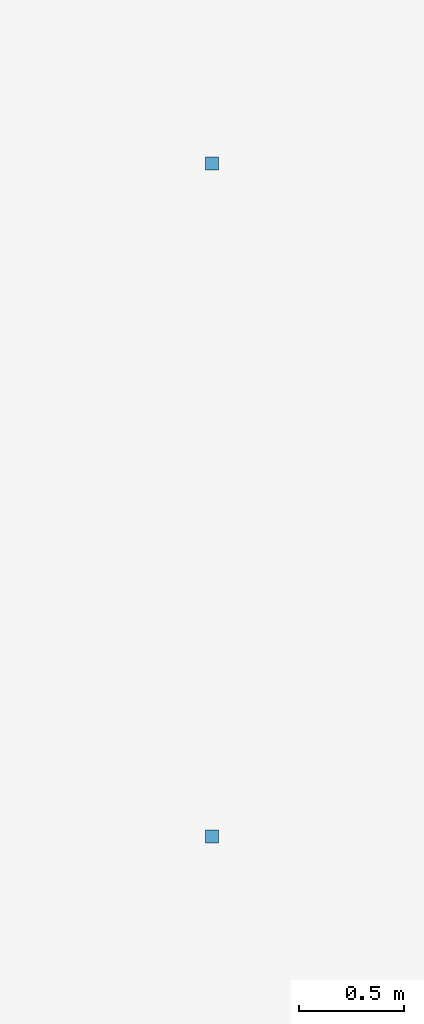
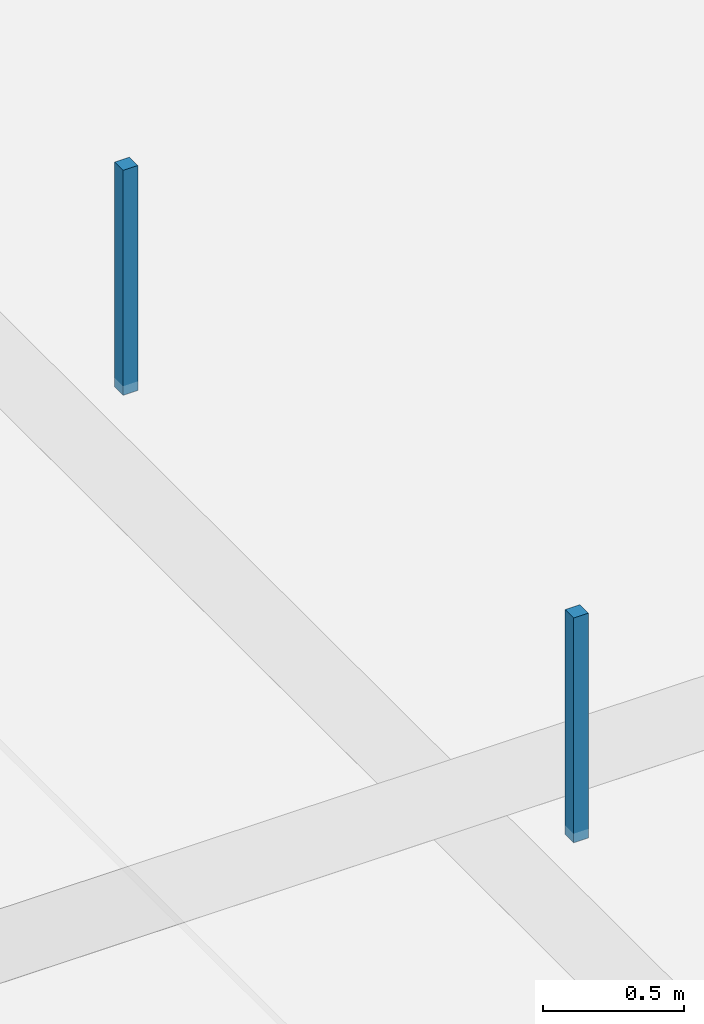
# One storey, part 75 of 128: 2 discrete accessories.
"""IFC4 building model written with IfcOpenShell, lengths in metres."""

import ifcopenshell
import ifcopenshell.guid

model = None  # the IFC model being written
_history = None  # IfcOwnerHistory: only IFC2X3 demands one
_inside = {}  # id of a spatial element -> (the spatial element, [elements in it])
_under = {}  # id of a project, library or spatial element -> (it, [spatial elements below it])
_declared = {}  # id of a project -> (the project, [libraries it declares])
_typed = {}  # id of a type object -> (the type object, [elements of that type])
_made_of = {}  # id of a material, layer set ... -> (it, [elements and type objects made of it])


def new_model(schema):
    """Start an empty IFC model of exactly this schema.

    Asked for "IFC4X3", IfcOpenShell would pick the latest addendum, in which some entities
    have other attributes; the version numbers below select the first issue.
    IFC2X3 requires an IfcOwnerHistory on every rooted entity: one is made here for all.
    """
    global model, _history
    if schema == "IFC4X3":
        model = ifcopenshell.file(schema_version=(4, 3, 0, 0))
    else:
        model = ifcopenshell.file(schema=schema)
    _inside.clear()
    _under.clear()
    _declared.clear()
    _typed.clear()
    _made_of.clear()
    _history = None
    if model.schema == "IFC2X3":
        org = make("IfcOrganization", Name="unknown")
        user = make(
            "IfcPersonAndOrganization",
            ThePerson=make("IfcPerson", FamilyName="unknown"),
            TheOrganization=org,
        )
        app = make(
            "IfcApplication",
            ApplicationDeveloper=org,
            Version="unknown",
            ApplicationFullName="unknown",
            ApplicationIdentifier="unknown",
        )
        _history = make(
            "IfcOwnerHistory",
            OwningUser=user,
            OwningApplication=app,
            ChangeAction="ADDED",
            CreationDate=0,
        )
    return model


def make(cls, **values):
    """One entity of the class cls with the attributes given. An attribute that is None is left unset."""
    return model.create_entity(
        cls, **{name: value for name, value in values.items() if value is not None}
    )


def rooted(cls, **values):
    """An entity with a GlobalId (a new one), such as an element, a storey or a relation."""
    return make(cls, GlobalId=ifcopenshell.guid.new(), OwnerHistory=_history, **values)


def si_unit(unit_type, name, prefix=None):
    """IfcSIUnit, for example si_unit("LENGTHUNIT", "METRE", prefix="MILLI")."""
    return make("IfcSIUnit", UnitType=unit_type, Prefix=prefix, Name=name)


def assignment(units):
    """IfcUnitAssignment: the units of a project."""
    return None if units is None else make("IfcUnitAssignment", Units=units)


def point(xyz):
    """IfcCartesianPoint."""
    return None if xyz is None else make("IfcCartesianPoint", Coordinates=xyz)


def direction(xyz):
    """IfcDirection."""
    return None if xyz is None else make("IfcDirection", DirectionRatios=xyz)


def frame(location, z_axis=None, x_axis=None):
    """IfcAxis2Placement3D, a coordinate frame: its origin and axes. An axis left out is left unset."""
    return make(
        "IfcAxis2Placement3D",
        Location=point(location),
        Axis=direction(z_axis),
        RefDirection=direction(x_axis),
    )


def frame_2d(location, x_axis=None):
    """IfcAxis2Placement2D, a coordinate frame in the plane: its origin and x axis."""
    return make(
        "IfcAxis2Placement2D", Location=point(location), RefDirection=direction(x_axis)
    )


def origin():
    """The frame at (0, 0, 0) with its axes left unset."""
    return frame((0.0, 0.0, 0.0))


def origin_2d():
    """The frame at (0, 0) in the plane with its x axis left unset."""
    return frame_2d((0.0, 0.0))


def place(relative_to, where):
    """IfcLocalPlacement: puts the frame where relative to a parent placement (None: the world)."""
    return make(
        "IfcLocalPlacement", PlacementRelTo=relative_to, RelativePlacement=where
    )


def context(
    kind, dimensions, precision=None, world=None, true_north=None, identifier=None
):
    """IfcGeometricRepresentationContext, for example the 3D "Model" context."""
    return make(
        "IfcGeometricRepresentationContext",
        ContextIdentifier=identifier,
        ContextType=kind,
        CoordinateSpaceDimension=dimensions,
        Precision=precision,
        WorldCoordinateSystem=world,
        TrueNorth=true_north,
    )


def subcontext(parent, identifier, kind, view, scale=None):
    """IfcGeometricRepresentationSubContext, for example "Body" below "Model"."""
    return make(
        "IfcGeometricRepresentationSubContext",
        ContextIdentifier=identifier,
        ContextType=kind,
        ParentContext=parent,
        TargetScale=scale,
        TargetView=view,
    )


def project(units=None, contexts=None):
    """IfcProject with its units and contexts."""
    return rooted(
        "IfcProject",
        Name="project",
        RepresentationContexts=contexts,
        UnitsInContext=assignment(units),
    )


def spatial(cls, under=None, at=None, **own):
    """A site, building, storey or space (cls), placed at a placement, below another one or the project."""
    s = rooted(cls, ObjectPlacement=at, **own)
    if under is not None:
        _under.setdefault(under.id(), (under, []))[1].append(s)
    return s


def profile(cls, at=None, kind="AREA", **sizes):
    """A parametric profile (cls). Its sizes go by their IFC names, for example OverallWidth=200.0."""
    return make(cls, ProfileType=kind, Position=at, **sizes)


def rectangle(**sizes):
    """IfcRectangleProfileDef."""
    return profile("IfcRectangleProfileDef", **sizes)


def extrude(swept, where, along, depth):
    """IfcExtrudedAreaSolid: the profile swept, set in the frame where, extruded along a direction by depth."""
    return make(
        "IfcExtrudedAreaSolid",
        SweptArea=swept,
        Position=where,
        ExtrudedDirection=direction(along),
        Depth=depth,
    )


def shape(context_of_items, identifier, shape_type, items):
    """IfcShapeRepresentation: the items that make up one representation, for example the "Body"."""
    return make(
        "IfcShapeRepresentation",
        ContextOfItems=context_of_items,
        RepresentationIdentifier=identifier,
        RepresentationType=shape_type,
        Items=items,
    )


def material(Name=None, Category=None):
    """IfcMaterial."""
    return make("IfcMaterial", Name=Name, Category=Category)


def made_of(thing, what):
    """Note that an element or type object is made of a material, layer set ...; save() writes the relation."""
    if what is not None:
        _made_of.setdefault(what.id(), (what, []))[1].append(thing)
    return thing


def type_object(cls, material=None, **own):
    """A type object (cls), such as IfcWallType, which elements share."""
    return made_of(rooted(cls, **own), material)


def element(
    cls,
    number,
    at=None,
    inside=None,
    cuts=None,
    type_object=None,
    material=None,
    context=None,
    identifier="Body",
    shape_type=None,
    held_by="IfcProductDefinitionShape",
    body=None,
    shapes=None,
    **own,
):
    """One element of the class cls, such as IfcWall. Its Tag is "e" and its number.

    at: its placement. inside: the storey or other place that contains it. cuts: it is an
    opening in that element (IfcRelVoidsElement). A single representation is given by context,
    identifier, shape_type and body (its items); several are given by shapes. held_by: the class
    of the entity that holds the representations. save() writes the other relations.
    """
    e = rooted(cls, Tag="e%d" % number, ObjectPlacement=at, **own)
    if body is not None:
        shapes = [shape(context, identifier, shape_type, body)]
    if shapes is not None:
        e.Representation = make(held_by, Representations=shapes)
    if inside is not None:
        _inside.setdefault(inside.id(), (inside, []))[1].append(e)
    if cuts is not None:
        rooted(
            "IfcRelVoidsElement", RelatingBuildingElement=cuts, RelatedOpeningElement=e
        )
    if type_object is not None:
        _typed.setdefault(type_object.id(), (type_object, []))[1].append(e)
    return made_of(e, material)


def aggregate(whole, parts):
    """IfcRelAggregates: a whole, such as a stair, and the parts it consists of."""
    return rooted("IfcRelAggregates", RelatingObject=whole, RelatedObjects=parts)


def save(model, path):
    """Write the relations noted so far, then the file.

    IfcRelAggregates (storeys below a building ...), IfcRelContainedInSpatialStructure (elements
    in a storey), IfcRelDefinesByType, IfcRelAssociatesMaterial and IfcRelDeclares: one each for
    every whole, place, type object, material and project.
    """
    for whole, parts in _under.values():
        aggregate(whole, parts)
    for where, things in _inside.values():
        rooted(
            "IfcRelContainedInSpatialStructure",
            RelatedElements=things,
            RelatingStructure=where,
        )
    for kind, things in _typed.values():
        rooted("IfcRelDefinesByType", RelatedObjects=things, RelatingType=kind)
    for what, things in _made_of.values():
        rooted("IfcRelAssociatesMaterial", RelatedObjects=things, RelatingMaterial=what)
    for by, libraries in _declared.values():
        rooted("IfcRelDeclares", RelatingContext=by, RelatedDefinitions=libraries)
    model.write(path)


model = new_model("IFC4")

# Units and contexts
model_context = context("Model", 3, precision=1e-05, world=origin(), true_north=direction((0.0, 1.0)))
body_context = subcontext(model_context, "Body", "Model", "MODEL_VIEW")
ifc_project = project(units=[si_unit("LENGTHUNIT", "METRE"), si_unit("AREAUNIT", "SQUARE_METRE"), si_unit("VOLUMEUNIT", "CUBIC_METRE"), si_unit("PLANEANGLEUNIT", "RADIAN"), si_unit("MASSUNIT", "GRAM", prefix="KILO")], contexts=[model_context])

# Site, building, storey
site_placement = place(None, origin())
site = spatial("IfcSite", under=ifc_project, at=site_placement, CompositionType="ELEMENT")
building_placement = place(site_placement, origin())
building = spatial("IfcBuilding", under=site, at=building_placement, Name="Telukmera Botanical Conservatory", CompositionType="ELEMENT")
storey_placement = place(building_placement, frame((0.0, 0.0, 5.39990234375)))
storey = spatial("IfcBuildingStorey", under=building, at=storey_placement, Name="L01", CompositionType="ELEMENT", Elevation=5.39990234375)

# Discrete accessories
ifc_material = material(Name="Steel S355", Category="steel")
discrete_accessory_type = type_object("IfcDiscreteAccessoryType", Name="ACC-CEIL-HGR", PredefinedType="BRACKET", material=ifc_material)
for number, where, z_axis, x_axis, name in (
    (1, (35.522705078125, 53.10009765625, 3.610107421875), (0.0, 0.0, 1.0), (1.0, 0.0, 0.0), "L01 Suspended Ceiling Hanger Rod 014-1"),
    (2, (35.522705078125, 56.300048828125, 3.610107421875), (0.0, 0.0, 1.0), (1.0, 0.0, 0.0), "L01 Suspended Ceiling Hanger Rod 014-2"),
):
    element("IfcDiscreteAccessory", number, at=place(storey_placement, frame(where, z_axis=z_axis, x_axis=x_axis)), inside=storey, type_object=discrete_accessory_type, Name=name, PredefinedType="BRACKET", context=body_context, shape_type="SweptSolid", body=[
        extrude(rectangle(XDim=0.06005859375, YDim=0.06005859375, at=origin_2d()), origin(), (0.0, 0.0, 1.0), 0.97509765625),
    ])

save(model, "model.ifc")
